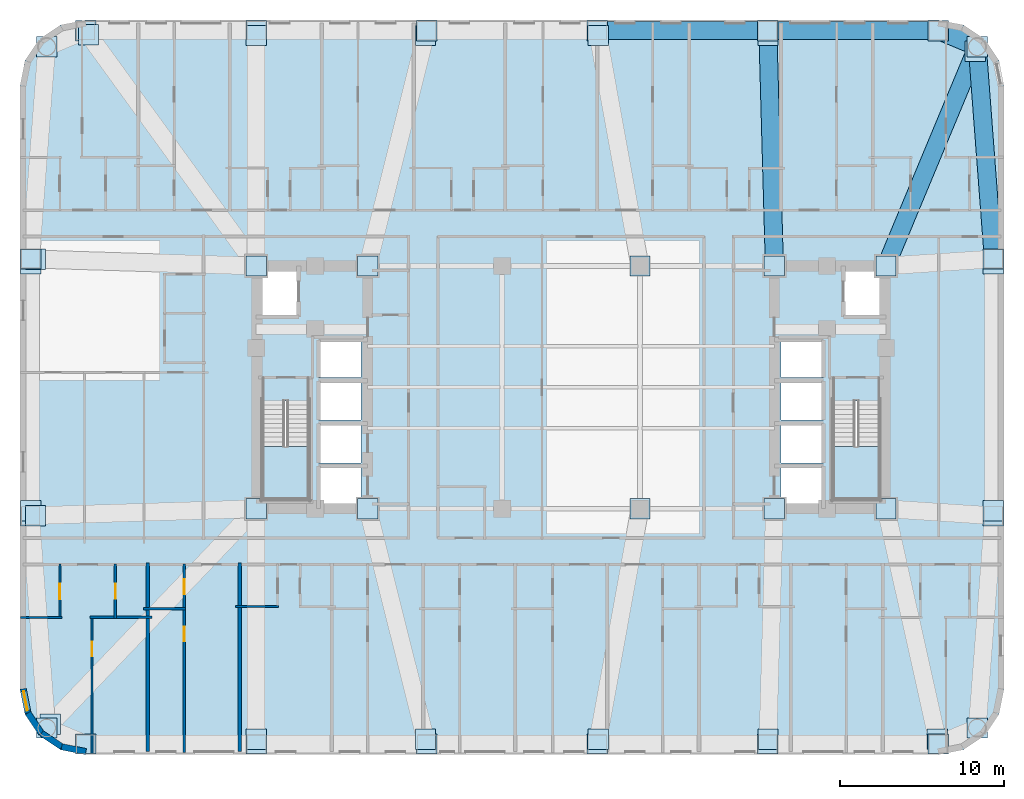
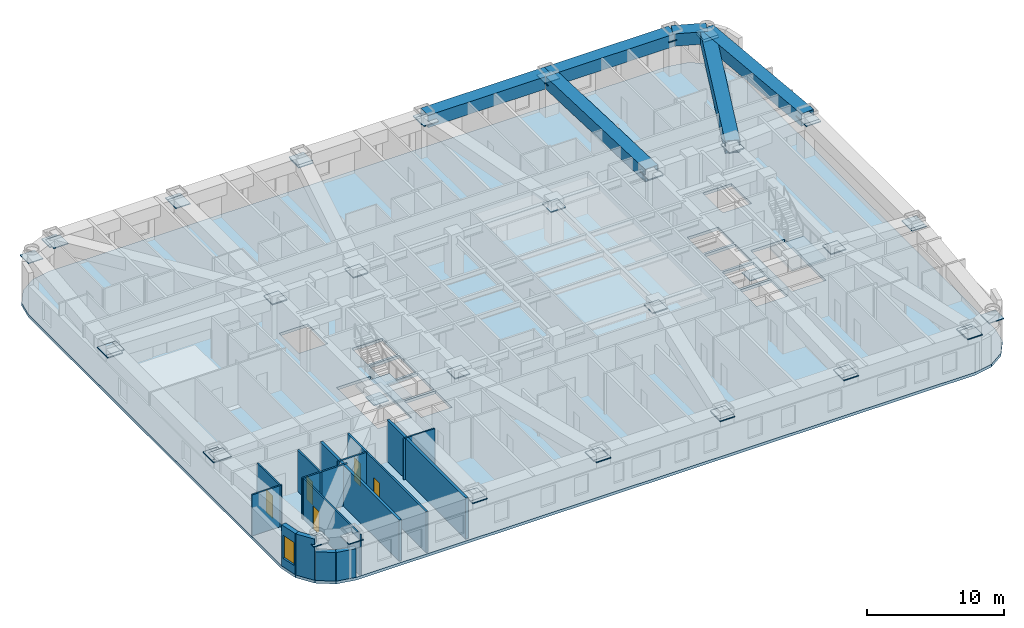
# One storey, part 2 of 12: 48 plates, 15 walls, 6 beams, 5 doors, 3 slabs, 1 window, 6 openings, 2 elements without a shape of their own.
"""IFC4 building model written with IfcOpenShell, lengths in metres."""

import ifcopenshell
import ifcopenshell.guid

model = None  # the IFC model being written
_history = None  # IfcOwnerHistory: only IFC2X3 demands one
_inside = {}  # id of a spatial element -> (the spatial element, [elements in it])
_under = {}  # id of a project, library or spatial element -> (it, [spatial elements below it])
_declared = {}  # id of a project -> (the project, [libraries it declares])
_typed = {}  # id of a type object -> (the type object, [elements of that type])
_made_of = {}  # id of a material, layer set ... -> (it, [elements and type objects made of it])


def new_model(schema):
    """Start an empty IFC model of exactly this schema.

    Asked for "IFC4X3", IfcOpenShell would pick the latest addendum, in which some entities
    have other attributes; the version numbers below select the first issue.
    IFC2X3 requires an IfcOwnerHistory on every rooted entity: one is made here for all.
    """
    global model, _history
    if schema == "IFC4X3":
        model = ifcopenshell.file(schema_version=(4, 3, 0, 0))
    else:
        model = ifcopenshell.file(schema=schema)
    _inside.clear()
    _under.clear()
    _declared.clear()
    _typed.clear()
    _made_of.clear()
    _history = None
    if model.schema == "IFC2X3":
        org = make("IfcOrganization", Name="unknown")
        user = make(
            "IfcPersonAndOrganization",
            ThePerson=make("IfcPerson", FamilyName="unknown"),
            TheOrganization=org,
        )
        app = make(
            "IfcApplication",
            ApplicationDeveloper=org,
            Version="unknown",
            ApplicationFullName="unknown",
            ApplicationIdentifier="unknown",
        )
        _history = make(
            "IfcOwnerHistory",
            OwningUser=user,
            OwningApplication=app,
            ChangeAction="ADDED",
            CreationDate=0,
        )
    return model


def make(cls, **values):
    """One entity of the class cls with the attributes given. An attribute that is None is left unset."""
    return model.create_entity(
        cls, **{name: value for name, value in values.items() if value is not None}
    )


def rooted(cls, **values):
    """An entity with a GlobalId (a new one), such as an element, a storey or a relation."""
    return make(cls, GlobalId=ifcopenshell.guid.new(), OwnerHistory=_history, **values)


def si_unit(unit_type, name, prefix=None):
    """IfcSIUnit, for example si_unit("LENGTHUNIT", "METRE", prefix="MILLI")."""
    return make("IfcSIUnit", UnitType=unit_type, Prefix=prefix, Name=name)


def assignment(units):
    """IfcUnitAssignment: the units of a project."""
    return None if units is None else make("IfcUnitAssignment", Units=units)


def point(xyz):
    """IfcCartesianPoint."""
    return None if xyz is None else make("IfcCartesianPoint", Coordinates=xyz)


def direction(xyz):
    """IfcDirection."""
    return None if xyz is None else make("IfcDirection", DirectionRatios=xyz)


def frame(location, z_axis=None, x_axis=None):
    """IfcAxis2Placement3D, a coordinate frame: its origin and axes. An axis left out is left unset."""
    return make(
        "IfcAxis2Placement3D",
        Location=point(location),
        Axis=direction(z_axis),
        RefDirection=direction(x_axis),
    )


def frame_2d(location, x_axis=None):
    """IfcAxis2Placement2D, a coordinate frame in the plane: its origin and x axis."""
    return make(
        "IfcAxis2Placement2D", Location=point(location), RefDirection=direction(x_axis)
    )


def origin():
    """The frame at (0, 0, 0) with its axes left unset."""
    return frame((0.0, 0.0, 0.0))


def origin_2d():
    """The frame at (0, 0) in the plane with its x axis left unset."""
    return frame_2d((0.0, 0.0))


def place(relative_to, where):
    """IfcLocalPlacement: puts the frame where relative to a parent placement (None: the world)."""
    return make(
        "IfcLocalPlacement", PlacementRelTo=relative_to, RelativePlacement=where
    )


def context(
    kind, dimensions, precision=None, world=None, true_north=None, identifier=None
):
    """IfcGeometricRepresentationContext, for example the 3D "Model" context."""
    return make(
        "IfcGeometricRepresentationContext",
        ContextIdentifier=identifier,
        ContextType=kind,
        CoordinateSpaceDimension=dimensions,
        Precision=precision,
        WorldCoordinateSystem=world,
        TrueNorth=true_north,
    )


def subcontext(parent, identifier, kind, view, scale=None):
    """IfcGeometricRepresentationSubContext, for example "Body" below "Model"."""
    return make(
        "IfcGeometricRepresentationSubContext",
        ContextIdentifier=identifier,
        ContextType=kind,
        ParentContext=parent,
        TargetScale=scale,
        TargetView=view,
    )


def project(units=None, contexts=None):
    """IfcProject with its units and contexts."""
    return rooted(
        "IfcProject",
        Name="project",
        RepresentationContexts=contexts,
        UnitsInContext=assignment(units),
    )


def spatial(cls, under=None, at=None, **own):
    """A site, building, storey or space (cls), placed at a placement, below another one or the project."""
    s = rooted(cls, ObjectPlacement=at, **own)
    if under is not None:
        _under.setdefault(under.id(), (under, []))[1].append(s)
    return s


def polyline(points):
    """IfcPolyline through the points."""
    return make("IfcPolyline", Points=[point(p) for p in points])


def profile(cls, at=None, kind="AREA", **sizes):
    """A parametric profile (cls). Its sizes go by their IFC names, for example OverallWidth=200.0."""
    return make(cls, ProfileType=kind, Position=at, **sizes)


def rectangle(**sizes):
    """IfcRectangleProfileDef."""
    return profile("IfcRectangleProfileDef", **sizes)


def hollow_rectangle(**sizes):
    """IfcRectangleHollowProfileDef."""
    return profile("IfcRectangleHollowProfileDef", **sizes)


def outline(outer, holes=None, kind="AREA"):
    """IfcArbitraryClosedProfileDef: a profile drawn as a closed curve; with holes, ...WithVoids."""
    if holes is None:
        return make("IfcArbitraryClosedProfileDef", ProfileType=kind, OuterCurve=outer)
    return make(
        "IfcArbitraryProfileDefWithVoids",
        ProfileType=kind,
        OuterCurve=outer,
        InnerCurves=holes,
    )


def extrude(swept, where, along, depth):
    """IfcExtrudedAreaSolid: the profile swept, set in the frame where, extruded along a direction by depth."""
    return make(
        "IfcExtrudedAreaSolid",
        SweptArea=swept,
        Position=where,
        ExtrudedDirection=direction(along),
        Depth=depth,
    )


def shape(context_of_items, identifier, shape_type, items):
    """IfcShapeRepresentation: the items that make up one representation, for example the "Body"."""
    return make(
        "IfcShapeRepresentation",
        ContextOfItems=context_of_items,
        RepresentationIdentifier=identifier,
        RepresentationType=shape_type,
        Items=items,
    )


def material(Name=None, Category=None):
    """IfcMaterial."""
    return make("IfcMaterial", Name=Name, Category=Category)


def layer(
    of_material, thickness, ventilated=None, Name=None, Category=None, Priority=None
):
    """IfcMaterialLayer: one layer of a wall or slab, of a material (None: an air gap)."""
    return make(
        "IfcMaterialLayer",
        Material=of_material,
        LayerThickness=thickness,
        IsVentilated=ventilated,
        Name=Name,
        Category=Category,
        Priority=Priority,
    )


def layer_set(layers, Name=None):
    """IfcMaterialLayerSet."""
    return make("IfcMaterialLayerSet", MaterialLayers=layers, LayerSetName=Name)


def material_profile(
    of_material, cross_section, Name=None, Category=None, Priority=None
):
    """IfcMaterialProfile: a cross section and its material."""
    return make(
        "IfcMaterialProfile",
        Name=Name,
        Material=of_material,
        Profile=cross_section,
        Priority=Priority,
        Category=Category,
    )


def profile_set(profiles, Name=None, composite=None):
    """IfcMaterialProfileSet."""
    return make(
        "IfcMaterialProfileSet",
        Name=Name,
        MaterialProfiles=profiles,
        CompositeProfile=composite,
    )


def made_of(thing, what):
    """Note that an element or type object is made of a material, layer set ...; save() writes the relation."""
    if what is not None:
        _made_of.setdefault(what.id(), (what, []))[1].append(thing)
    return thing


def type_object(cls, material=None, **own):
    """A type object (cls), such as IfcWallType, which elements share."""
    return made_of(rooted(cls, **own), material)


def element(
    cls,
    number,
    at=None,
    inside=None,
    cuts=None,
    type_object=None,
    material=None,
    context=None,
    identifier="Body",
    shape_type=None,
    held_by="IfcProductDefinitionShape",
    body=None,
    shapes=None,
    **own,
):
    """One element of the class cls, such as IfcWall. Its Tag is "e" and its number.

    at: its placement. inside: the storey or other place that contains it. cuts: it is an
    opening in that element (IfcRelVoidsElement). A single representation is given by context,
    identifier, shape_type and body (its items); several are given by shapes. held_by: the class
    of the entity that holds the representations. save() writes the other relations.
    """
    e = rooted(cls, Tag="e%d" % number, ObjectPlacement=at, **own)
    if body is not None:
        shapes = [shape(context, identifier, shape_type, body)]
    if shapes is not None:
        e.Representation = make(held_by, Representations=shapes)
    if inside is not None:
        _inside.setdefault(inside.id(), (inside, []))[1].append(e)
    if cuts is not None:
        rooted(
            "IfcRelVoidsElement", RelatingBuildingElement=cuts, RelatedOpeningElement=e
        )
    if type_object is not None:
        _typed.setdefault(type_object.id(), (type_object, []))[1].append(e)
    return made_of(e, material)


def fill(opening, filler):
    """IfcRelFillsElement: the door or window that sits in an opening."""
    return rooted(
        "IfcRelFillsElement",
        RelatingOpeningElement=opening,
        RelatedBuildingElement=filler,
    )


def aggregate(whole, parts):
    """IfcRelAggregates: a whole, such as a stair, and the parts it consists of."""
    return rooted("IfcRelAggregates", RelatingObject=whole, RelatedObjects=parts)


def save(model, path):
    """Write the relations noted so far, then the file.

    IfcRelAggregates (storeys below a building ...), IfcRelContainedInSpatialStructure (elements
    in a storey), IfcRelDefinesByType, IfcRelAssociatesMaterial and IfcRelDeclares: one each for
    every whole, place, type object, material and project.
    """
    for whole, parts in _under.values():
        aggregate(whole, parts)
    for where, things in _inside.values():
        rooted(
            "IfcRelContainedInSpatialStructure",
            RelatedElements=things,
            RelatingStructure=where,
        )
    for kind, things in _typed.values():
        rooted("IfcRelDefinesByType", RelatedObjects=things, RelatingType=kind)
    for what, things in _made_of.values():
        rooted("IfcRelAssociatesMaterial", RelatedObjects=things, RelatingMaterial=what)
    for by, libraries in _declared.values():
        rooted("IfcRelDeclares", RelatingContext=by, RelatedDefinitions=libraries)
    model.write(path)


model = new_model("IFC4")

# Units and contexts
model_context = context("Model", 3, precision=1e-05, world=origin(), true_north=direction((0.0, 1.0)))
body_context = subcontext(model_context, "Body", "Model", "MODEL_VIEW")
ifc_project = project(units=[si_unit("LENGTHUNIT", "METRE"), si_unit("AREAUNIT", "SQUARE_METRE"), si_unit("VOLUMEUNIT", "CUBIC_METRE"), si_unit("PLANEANGLEUNIT", "RADIAN"), si_unit("MASSUNIT", "GRAM", prefix="KILO")], contexts=[model_context])

# Site, building, storey
site_placement = place(None, origin())
site = spatial("IfcSite", under=ifc_project, at=site_placement, CompositionType="ELEMENT")
building_placement = place(site_placement, origin())
building = spatial("IfcBuilding", under=site, at=building_placement, Name="Voryun Gate Residences", CompositionType="ELEMENT")
storey_placement = place(building_placement, frame((0.0, 0.0, 29.89990234375)))
storey = spatial("IfcBuildingStorey", under=building, at=storey_placement, Name="L06", CompositionType="ELEMENT", Elevation=29.89990234375)

# Beams
ifc_material_1 = material(Name="Steel SM420", Category="steel")
ifc_material_profile = material_profile(ifc_material_1, hollow_rectangle(XDim=1.10009765625, YDim=1.10009765625, WallThickness=0.035888671875, at=origin_2d()), Name="BOX-1100x1100x36")
ifc_profile_set = profile_set([ifc_material_profile], Name="Steel SM420")
beam_type = type_object("IfcBeamType", Name="BM_ARCH_RIB", PredefinedType="USERDEFINED", material=ifc_profile_set)
beam_1_placement = place(storey_placement, frame((25.75, 7.830078125, 3.10009765625), z_axis=(-0.075617360159, 0.997136908776, 0.0), x_axis=(-0.997136908776, -0.075617360159, 0.0)))
element("IfcBeam", 1, at=beam_1_placement, inside=storey, type_object=beam_type, Name="BM-L06-SPAND-09", ObjectType="GIRDER", PredefinedType="USERDEFINED", context=body_context, shape_type="SweptSolid", body=[
    extrude(hollow_rectangle(XDim=1.10009765625, YDim=1.10009765625, WallThickness=0.035888671875, at=origin_2d()), origin(), (0.0, 0.0, 1.0), 12.975830078125),
])
beam_2_placement = place(storey_placement, frame((24.768798828125, 20.768798828125, 3.10009765625), z_axis=(-0.923883376753, 0.382674151414, 0.0), x_axis=(-0.382674151414, -0.923883376753, 0.0)))
element("IfcBeam", 2, at=beam_2_placement, inside=storey, type_object=beam_type, Name="BM-L06-SPAND-10", ObjectType="GIRDER", PredefinedType="USERDEFINED", context=body_context, shape_type="SweptSolid", body=[
    extrude(hollow_rectangle(XDim=1.10009765625, YDim=1.10009765625, WallThickness=0.035888671875, at=origin_2d()), origin(), (0.0, 0.0, 1.0), 2.56396484375),
])
for number, where, z_axis, x_axis, name in (
    (3, (22.39990234375, 21.75, 3.10009765625), (-1.0, 0.0, 0.0), (0.0, -1.0, 0.0), "BM-L06-SPAND-11"),
    (4, (12.0, 21.75, 3.10009765625), (-1.0, 0.0, 0.0), (0.0, -1.0, 0.0), "BM-L06-SPAND-12"),
):
    element("IfcBeam", number, at=place(storey_placement, frame(where, z_axis=z_axis, x_axis=x_axis)), inside=storey, type_object=beam_type, Name=name, ObjectType="GIRDER", PredefinedType="USERDEFINED", context=body_context, shape_type="SweptSolid", body=[
        extrude(hollow_rectangle(XDim=1.10009765625, YDim=1.10009765625, WallThickness=0.035888671875, at=origin_2d()), origin(), (0.0, 0.0, 1.0), 10.39990234375),
    ])
beam_3_placement = place(storey_placement, frame((19.199951171875, 7.39990234375, 3.10009765625), z_axis=(0.38451637457, 0.923118171031, 0.0), x_axis=(-0.923118171031, 0.38451637457, 0.0)))
element("IfcBeam", 5, at=beam_3_placement, inside=storey, type_object=beam_type, Name="BM-L06-RAD-CNE", ObjectType="GIRDER", PredefinedType="USERDEFINED", context=body_context, shape_type="SweptSolid", body=[
    extrude(hollow_rectangle(XDim=1.10009765625, YDim=1.10009765625, WallThickness=0.035888671875, at=origin_2d()), origin(), (0.0, 0.0, 1.0), 14.182373046875),
])
beam_4_placement = place(storey_placement, frame((12.39990234375, 7.39990234375, 3.10009765625), z_axis=(-0.027860596984, 0.999611818225, 0.0), x_axis=(-0.999611818225, -0.027860596984, 0.0)))
element("IfcBeam", 6, at=beam_4_placement, inside=storey, type_object=beam_type, Name="BM-L06-RAD-N2", ObjectType="GIRDER", PredefinedType="USERDEFINED", context=body_context, shape_type="SweptSolid", body=[
    extrude(hollow_rectangle(XDim=1.10009765625, YDim=1.10009765625, WallThickness=0.035888671875, at=origin_2d()), origin(), (0.0, 0.0, 1.0), 14.0556640625),
])

# Plates
ifc_material_2 = material(Name="Steel SM355", Category="steel")
ifc_layer_1 = layer(ifc_material_2, 0.02490234375, Name="PLT_END_CAP_25")
ifc_layer_set_1 = layer_set([ifc_layer_1], Name="Steel SM355")
plate_type = type_object("IfcPlateType", Name="PLT_END_CAP_25", PredefinedType="USERDEFINED", material=ifc_layer_set_1)
for number, where, z_axis, x_axis, name in (
    (7, (-29.60009765625, -21.75, 3.06005859375), (0.0, 0.0, 1.0), (1.0, 0.0, 0.0), "L06 Hollow Member End-Cap Plate EC-157"),
    (8, (-19.199951171875, -21.75, 3.06005859375), (0.0, 0.0, 1.0), (1.0, 0.0, 0.0), "L06 Hollow Member End-Cap Plate EC-158"),
    (9, (-8.800048828125, -21.75, 3.06005859375), (0.0, 0.0, 1.0), (1.0, 0.0, 0.0), "L06 Hollow Member End-Cap Plate EC-159"),
    (10, (1.60009765625, -21.75, 3.06005859375), (0.0, 0.0, 1.0), (1.0, 0.0, 0.0), "L06 Hollow Member End-Cap Plate EC-160"),
    (11, (12.0, -21.75, 3.06005859375), (0.0, 0.0, 1.0), (1.0, 0.0, 0.0), "L06 Hollow Member End-Cap Plate EC-161"),
    (12, (22.39990234375, -21.75, 3.06005859375), (0.0, 0.0, 1.0), (1.0, 0.0, 0.0), "L06 Hollow Member End-Cap Plate EC-162"),
    (13, (24.768798828125, -20.768798828125, 3.06005859375), (0.0, 0.0, 1.0), (1.0, 0.0, 0.0), "L06 Hollow Member End-Cap Plate EC-163"),
    (14, (25.75, -7.830078125, 3.06005859375), (0.0, 0.0, 1.0), (1.0, 0.0, 0.0), "L06 Hollow Member End-Cap Plate EC-164"),
    (15, (25.75, -7.530029296875, 3.06005859375), (0.0, 0.0, 1.0), (1.0, 0.0, 0.0), "L06 Hollow Member End-Cap Plate EC-165"),
    (16, (25.75, 7.530029296875, 3.06005859375), (0.0, 0.0, 1.0), (1.0, 0.0, 0.0), "L06 Hollow Member End-Cap Plate EC-166"),
    (17, (25.75, 7.830078125, 3.06005859375), (0.0, 0.0, 1.0), (1.0, 0.0, 0.0), "L06 Hollow Member End-Cap Plate EC-167"),
    (18, (24.768798828125, 20.768798828125, 3.06005859375), (0.0, 0.0, 1.0), (1.0, 0.0, 0.0), "L06 Hollow Member End-Cap Plate EC-168"),
    (19, (22.39990234375, 21.75, 3.06005859375), (0.0, 0.0, 1.0), (1.0, 0.0, 0.0), "L06 Hollow Member End-Cap Plate EC-169"),
    (20, (12.0, 21.75, 3.06005859375), (0.0, 0.0, 1.0), (1.0, 0.0, 0.0), "L06 Hollow Member End-Cap Plate EC-170"),
    (21, (1.60009765625, 21.75, 3.06005859375), (0.0, 0.0, 1.0), (1.0, 0.0, 0.0), "L06 Hollow Member End-Cap Plate EC-171"),
    (22, (-8.800048828125, 21.75, 3.06005859375), (0.0, 0.0, 1.0), (1.0, 0.0, 0.0), "L06 Hollow Member End-Cap Plate EC-172"),
    (23, (-19.199951171875, 21.75, 3.06005859375), (0.0, 0.0, 1.0), (1.0, 0.0, 0.0), "L06 Hollow Member End-Cap Plate EC-173"),
    (24, (-29.60009765625, 21.75, 3.06005859375), (0.0, 0.0, 1.0), (1.0, 0.0, 0.0), "L06 Hollow Member End-Cap Plate EC-174"),
    (25, (-31.96875, 20.768798828125, 3.06005859375), (0.0, 0.0, 1.0), (1.0, 0.0, 0.0), "L06 Hollow Member End-Cap Plate EC-175"),
    (26, (-32.949951171875, 7.830078125, 3.06005859375), (0.0, 0.0, 1.0), (1.0, 0.0, 0.0), "L06 Hollow Member End-Cap Plate EC-176"),
    (27, (-32.949951171875, 7.530029296875, 3.06005859375), (0.0, 0.0, 1.0), (1.0, 0.0, 0.0), "L06 Hollow Member End-Cap Plate EC-177"),
    (28, (-32.949951171875, -7.530029296875, 3.06005859375), (0.0, 0.0, 1.0), (1.0, 0.0, 0.0), "L06 Hollow Member End-Cap Plate EC-178"),
    (29, (-32.949951171875, -7.830078125, 3.06005859375), (0.0, 0.0, 1.0), (1.0, 0.0, 0.0), "L06 Hollow Member End-Cap Plate EC-179"),
    (30, (-31.96875, -20.768798828125, 3.06005859375), (0.0, 0.0, 1.0), (1.0, 0.0, 0.0), "L06 Hollow Member End-Cap Plate EC-180"),
    (31, (-19.199951171875, -7.39990234375, 3.06005859375), (0.0, 0.0, 1.0), (1.0, 0.0, 0.0), "L06 Hollow Member End-Cap Plate EC-181"),
    (32, (-19.199951171875, -21.449951171875, 3.06005859375), (0.0, 0.0, 1.0), (1.0, 0.0, 0.0), "L06 Hollow Member End-Cap Plate EC-182"),
    (33, (-12.39990234375, -7.39990234375, 3.06005859375), (0.0, 0.0, 1.0), (1.0, 0.0, 0.0), "L06 Hollow Member End-Cap Plate EC-183"),
    (34, (-8.873046875, -21.458984375, 3.06005859375), (0.0, 0.0, 1.0), (1.0, 0.0, 0.0), "L06 Hollow Member End-Cap Plate EC-184"),
    (35, (4.199951171875, -7.39990234375, 3.06005859375), (0.0, 0.0, 1.0), (1.0, 0.0, 0.0), "L06 Hollow Member End-Cap Plate EC-185"),
    (36, (1.653564453125, -21.454833984375, 3.06005859375), (0.0, 0.0, 1.0), (1.0, 0.0, 0.0), "L06 Hollow Member End-Cap Plate EC-186"),
    (37, (12.39990234375, -7.39990234375, 3.06005859375), (0.0, 0.0, 1.0), (1.0, 0.0, 0.0), "L06 Hollow Member End-Cap Plate EC-187"),
    (38, (12.00830078125, -21.4501953125, 3.06005859375), (0.0, 0.0, 1.0), (1.0, 0.0, 0.0), "L06 Hollow Member End-Cap Plate EC-188"),
    (39, (19.199951171875, -7.39990234375, 3.06005859375), (0.0, 0.0, 1.0), (1.0, 0.0, 0.0), "L06 Hollow Member End-Cap Plate EC-189"),
    (40, (22.334716796875, -21.457275390625, 3.06005859375), (0.0, 0.0, 1.0), (1.0, 0.0, 0.0), "L06 Hollow Member End-Cap Plate EC-190"),
    (41, (19.199951171875, 7.39990234375, 3.06005859375), (0.0, 0.0, 1.0), (1.0, 0.0, 0.0), "L06 Hollow Member End-Cap Plate EC-191"),
    (42, (24.6533203125, 20.491943359375, 3.06005859375), (0.0, 0.0, 1.0), (1.0, 0.0, 0.0), "L06 Hollow Member End-Cap Plate EC-192"),
    (43, (12.39990234375, 7.39990234375, 3.06005859375), (0.0, 0.0, 1.0), (1.0, 0.0, 0.0), "L06 Hollow Member End-Cap Plate EC-193"),
    (44, (12.00830078125, 21.4501953125, 3.06005859375), (0.0, 0.0, 1.0), (1.0, 0.0, 0.0), "L06 Hollow Member End-Cap Plate EC-194"),
    (45, (4.199951171875, 7.39990234375, 3.06005859375), (0.0, 0.0, 1.0), (1.0, 0.0, 0.0), "L06 Hollow Member End-Cap Plate EC-195"),
    (46, (1.653564453125, 21.454833984375, 3.06005859375), (0.0, 0.0, 1.0), (1.0, 0.0, 0.0), "L06 Hollow Member End-Cap Plate EC-196"),
    (47, (-12.39990234375, 7.39990234375, 3.06005859375), (0.0, 0.0, 1.0), (1.0, 0.0, 0.0), "L06 Hollow Member End-Cap Plate EC-197"),
    (48, (-8.873046875, 21.458984375, 3.06005859375), (0.0, 0.0, 1.0), (1.0, 0.0, 0.0), "L06 Hollow Member End-Cap Plate EC-198"),
    (49, (-19.199951171875, 7.39990234375, 3.06005859375), (0.0, 0.0, 1.0), (1.0, 0.0, 0.0), "L06 Hollow Member End-Cap Plate EC-199"),
    (50, (-19.199951171875, 21.449951171875, 3.06005859375), (0.0, 0.0, 1.0), (1.0, 0.0, 0.0), "L06 Hollow Member End-Cap Plate EC-200"),
    (51, (-29.424072265625, 21.507080078125, 3.06005859375), (0.0, 0.0, 1.0), (1.0, 0.0, 0.0), "L06 Hollow Member End-Cap Plate EC-201"),
    (52, (-32.650146484375, 7.820556640625, 3.06005859375), (0.0, 0.0, 1.0), (1.0, 0.0, 0.0), "L06 Hollow Member End-Cap Plate EC-202"),
    (53, (-32.650146484375, -7.820556640625, 3.06005859375), (0.0, 0.0, 1.0), (1.0, 0.0, 0.0), "L06 Hollow Member End-Cap Plate EC-203"),
    (54, (-31.76171875, -20.552001953125, 3.06005859375), (0.0, 0.0, 1.0), (1.0, 0.0, 0.0), "L06 Hollow Member End-Cap Plate EC-204"),
):
    element("IfcPlate", number, at=place(storey_placement, frame(where, z_axis=z_axis, x_axis=x_axis)), inside=storey, type_object=plate_type, Name=name, ObjectType="BASE_PLATE", PredefinedType="USERDEFINED", context=body_context, shape_type="SweptSolid", body=[
        extrude(rectangle(XDim=1.239990234375, YDim=1.239990234375, at=origin_2d()), origin(), (0.0, 0.0, 1.0), 0.080078125),
    ])

# Slab
ifc_material_3 = material(Name="Concrete C40/50", Category="concrete")
ifc_layer_2 = layer(ifc_material_3, 0.25, Name="SLB_RES_250")
ifc_layer_set_2 = layer_set([ifc_layer_2], Name="Concrete C40/50")
slab_type_1 = type_object("IfcSlabType", Name="SLB_RES_250", PredefinedType="FLOOR", material=ifc_layer_set_2)
slab_1_placement = place(storey_placement, frame((0.0, 0.0, -0.25)))
element("IfcSlab", 55, at=slab_1_placement, inside=storey, type_object=slab_type_1, Name="L06 Structural Floor Slab", PredefinedType="FLOOR", context=body_context, shape_type="SweptSolid", body=[
    extrude(outline(polyline([(-29.60009765625, -22.39990234375), (-31.130615234375, -22.095458984375), (-32.428466796875, -21.228515625), (-33.29541015625, -19.9306640625), (-33.60009765625, -18.39990234375), (-33.60009765625, 18.39990234375), (-33.29541015625, 19.9306640625), (-32.428466796875, 21.228515625), (-31.130615234375, 22.095458984375), (-29.60009765625, 22.39990234375), (22.39990234375, 22.39990234375), (23.9306640625, 22.095458984375), (25.228515625, 21.228515625), (26.095458984375, 19.9306640625), (26.39990234375, 18.39990234375), (26.39990234375, -18.39990234375), (26.095458984375, -19.9306640625), (25.228515625, -21.228515625), (23.9306640625, -22.095458984375), (22.39990234375, -22.39990234375), (-29.60009765625, -22.39990234375)]), holes=[polyline([(-12.800048828125, -4.800048828125), (-15.39990234375, -4.800048828125), (-15.39990234375, -7.199951171875), (-12.800048828125, -7.199951171875), (-12.800048828125, -4.800048828125)]), polyline([(-18.824951171875, -6.85009765625), (-15.97509765625, -6.85009765625), (-15.97509765625, -0.840087890625), (-18.824951171875, -0.840087890625), (-18.824951171875, -6.85009765625)]), polyline([(-12.800048828125, -4.60009765625), (-12.800048828125, -2.199951171875), (-15.39990234375, -2.199951171875), (-15.39990234375, -4.60009765625), (-12.800048828125, -4.60009765625)]), polyline([(-12.800048828125, 0.39990234375), (-15.39990234375, 0.39990234375), (-15.39990234375, -2.0), (-12.800048828125, -2.0), (-12.800048828125, 0.39990234375)]), polyline([(-12.800048828125, 0.60009765625), (-12.800048828125, 2.89990234375), (-15.39990234375, 2.89990234375), (-15.39990234375, 0.60009765625), (-12.800048828125, 0.60009765625)]), polyline([(-16.60009765625, 4.300048828125), (-16.60009765625, 7.199951171875), (-19.0, 7.199951171875), (-19.0, 4.300048828125), (-16.60009765625, 4.300048828125)]), polyline([(15.39990234375, -4.800048828125), (12.800048828125, -4.800048828125), (12.800048828125, -7.199951171875), (15.39990234375, -7.199951171875), (15.39990234375, -4.800048828125)]), polyline([(15.97509765625, -6.85009765625), (18.824951171875, -6.85009765625), (18.824951171875, -0.840087890625), (15.97509765625, -0.840087890625), (15.97509765625, -6.85009765625)]), polyline([(15.39990234375, -4.60009765625), (15.39990234375, -2.199951171875), (12.800048828125, -2.199951171875), (12.800048828125, -4.60009765625), (15.39990234375, -4.60009765625)]), polyline([(15.39990234375, 0.39990234375), (12.800048828125, 0.39990234375), (12.800048828125, -2.0), (15.39990234375, -2.0), (15.39990234375, 0.39990234375)]), polyline([(15.39990234375, 0.60009765625), (15.39990234375, 2.89990234375), (12.800048828125, 2.89990234375), (12.800048828125, 0.60009765625), (15.39990234375, 0.60009765625)]), polyline([(19.0, 4.300048828125), (19.0, 7.199951171875), (16.60009765625, 7.199951171875), (16.60009765625, 4.300048828125), (19.0, 4.300048828125)])]), origin(), (0.0, 0.0, 1.0), 0.25),
])

# Stair, slab
ifc_material_4 = material(Name="Concrete C40/50", Category="concrete")
stair_type = type_object("IfcStairType", Name="STR_CORE_DOGLEG_1350", PredefinedType="HALF_TURN_STAIR", material=ifc_material_4)
stair_1_placement = place(storey_placement, origin())
stair_1 = element("IfcStair", 56, at=stair_1_placement, inside=storey, type_object=stair_type, Name="L06 Special Escape Stair ST-W1", PredefinedType="HALF_TURN_STAIR")
ifc_material_5 = material(Name="Concrete C40/50", Category="concrete")
ifc_layer_3 = layer(ifc_material_5, 0.199951171875, Name="SLB_STAIR_LANDING_200")
ifc_layer_set_3 = layer_set([ifc_layer_3], Name="Concrete C40/50")
slab_type_2 = type_object("IfcSlabType", Name="SLB_STAIR_LANDING_200", PredefinedType="LANDING", material=ifc_layer_set_3)
slab_2_placement = place(storey_placement, frame((0.0, 0.0, 1.75)))
slab_2 = element("IfcSlab", 57, at=slab_2_placement, type_object=slab_type_2, Name="ST-W1 landing 1", PredefinedType="LANDING", context=body_context, shape_type="SweptSolid", body=[
    extrude(outline(polyline([(-18.824951171875, -3.60009765625), (-18.824951171875, -6.85009765625), (-15.97509765625, -6.85009765625), (-15.97509765625, -3.60009765625), (-18.824951171875, -3.60009765625)])), origin(), (0.0, 0.0, 1.0), 0.2001953125),
])
aggregate(stair_1, [slab_2])

stair_2_placement = place(storey_placement, origin())
stair_2 = element("IfcStair", 58, at=stair_2_placement, inside=storey, type_object=stair_type, Name="L06 Special Escape Stair ST-E1", PredefinedType="HALF_TURN_STAIR")
slab_3_placement = place(storey_placement, frame((0.0, 0.0, 1.75)))
slab_3 = element("IfcSlab", 59, at=slab_3_placement, type_object=slab_type_2, Name="ST-E1 landing 1", PredefinedType="LANDING", context=body_context, shape_type="SweptSolid", body=[
    extrude(outline(polyline([(15.97509765625, -3.60009765625), (15.97509765625, -6.85009765625), (18.824951171875, -6.85009765625), (18.824951171875, -3.60009765625), (15.97509765625, -3.60009765625)])), origin(), (0.0, 0.0, 1.0), 0.2001953125),
])
aggregate(stair_2, [slab_3])

# Walls
ifc_material_6 = material(Name="Granite masonry", Category="masonry")
ifc_layer_4 = layer(ifc_material_6, 0.3798828125, Name="W_EXT_GRANITE_380")
ifc_layer_set_4 = layer_set([ifc_layer_4], Name="Granite masonry")
wall_type_1 = type_object("IfcWallType", Name="W_EXT_GRANITE_380", PredefinedType="ELEMENTEDWALL", material=ifc_layer_set_4)
wall_1_placement = place(storey_placement, frame((-29.581298828125, -22.2099609375, 0.0), z_axis=(0.0, 0.0, 1.0), x_axis=(-0.980786132421, 0.195086038585, 0.0)))
element("IfcWall", 60, at=wall_1_placement, inside=storey, type_object=wall_type_1, Name="Exterior wall WEXT-L06-02", PredefinedType="ELEMENTEDWALL", context=body_context, shape_type="SweptSolid", body=[
    extrude(rectangle(XDim=1.504150390625, YDim=0.3798828125, at=frame_2d((0.751953125, 0.0))), origin(), (0.0, 0.0, 1.0), 2.5400390625),
])
wall_2_placement = place(storey_placement, frame((-31.056640625, -21.91650390625, 0.0), z_axis=(0.0, 0.0, 1.0), x_axis=(-0.831442848281, 0.555610286119, 0.0)))
element("IfcWall", 61, at=wall_2_placement, inside=storey, type_object=wall_type_1, Name="Exterior wall WEXT-L06-03", PredefinedType="ELEMENTEDWALL", context=body_context, shape_type="SweptSolid", body=[
    extrude(rectangle(XDim=1.485107421875, YDim=0.3798828125, at=frame_2d((0.74267578125, 0.0))), origin(), (0.0, 0.0, 1.0), 2.5400390625),
])
wall_3_placement = place(storey_placement, frame((-32.29150390625, -21.09130859375, 0.0), z_axis=(0.0, 0.0, 1.0), x_axis=(-0.555572577804, 0.831468045563, 0.0)))
element("IfcWall", 62, at=wall_3_placement, inside=storey, type_object=wall_type_1, Name="Exterior wall WEXT-L06-04", PredefinedType="ELEMENTEDWALL", context=body_context, shape_type="SweptSolid", body=[
    extrude(rectangle(XDim=1.48486328125, YDim=0.3798828125, at=frame_2d((0.742431640625, 0.0))), origin(), (0.0, 0.0, 1.0), 3.650146484375),
])

# Wall, opening, window
wall_4_placement = place(storey_placement, frame((-33.116455078125, -19.856689453125, 0.0), z_axis=(0.0, 0.0, 1.0), x_axis=(-0.195086038585, 0.980786132421, 0.0)))
wall_4 = element("IfcWall", 63, at=wall_4_placement, inside=storey, type_object=wall_type_1, Name="Exterior wall WEXT-L06-05", PredefinedType="ELEMENTEDWALL", context=body_context, shape_type="SweptSolid", body=[
    extrude(rectangle(XDim=1.504150390625, YDim=0.3798828125, at=frame_2d((0.751953125, 0.0))), origin(), (0.0, 0.0, 1.0), 3.650146484375),
])
opening_1_placement = place(wall_4_placement, frame((0.152099609375, 0.0, 0.75)))
opening_1 = element("IfcOpeningElement", 64, at=opening_1_placement, cuts=wall_4, Name="Opening WN6", PredefinedType="OPENING", context=body_context, shape_type="SweptSolid", body=[
    extrude(rectangle(XDim=1.199951171875, YDim=2.050048828125, at=frame_2d((0.60009765625, 1.02490234375))), frame((0.0, 0.199951171875, 0.0), z_axis=(0.0, -1.0, 0.0), x_axis=(1.0, 0.0, 0.0)), (0.0, 0.0, 1.0), 0.39990234375),
])
ifc_material_7 = material(Name="Laminated low-E glass", Category="glass")
window_type = type_object("IfcWindowType", Name="WN_POD_SLOT_1200", PartitioningType="SINGLE_PANEL", PredefinedType="WINDOW", material=ifc_material_7)
window_placement = place(opening_1_placement, origin())
window = element("IfcWindow", 65, at=window_placement, inside=storey, type_object=window_type, Name="Window WN-L06-DWFIX-16", OverallHeight=2.050048828125, OverallWidth=1.199951171875, PartitioningType="SINGLE_PANEL", PredefinedType="WINDOW", context=body_context, shape_type="SweptSolid", body=[
    extrude(rectangle(XDim=1.199951171875, YDim=2.050048828125, at=frame_2d((0.60009765625, 1.02490234375))), frame((0.0, 0.030029296875, 0.0), z_axis=(0.0, -1.0, 0.0), x_axis=(1.0, 0.0, 0.0)), (0.0, 0.0, 1.0), 0.06005859375),
])
fill(opening_1, window)

# Walls
ifc_material_8 = material(Name="Concrete C40/50", Category="concrete")
ifc_layer_5 = layer(ifc_material_8, 0.219970703125, Name="W_PARTY_ACOUSTIC_220")
ifc_layer_set_5 = layer_set([ifc_layer_5], Name="Concrete C40/50")
wall_type_2 = type_object("IfcWallType", Name="W_PARTY_ACOUSTIC_220", PredefinedType="PARTITIONING", material=ifc_layer_set_5)
for number, where, z_axis, x_axis, name in (
    (66, (-25.800048828125, -22.2099609375, 0.0), (0.0, 0.0, 1.0), (0.0, 1.0, 0.0), "Partition wall WP-L06-SPTY-1"),
    (67, (-20.199951171875, -22.2099609375, 0.0), (0.0, 0.0, 1.0), (0.0, 1.0, 0.0), "Partition wall WP-L06-SPTY-2"),
):
    element("IfcWall", number, at=place(storey_placement, frame(where, z_axis=z_axis, x_axis=x_axis)), inside=storey, type_object=wall_type_2, Name=name, PredefinedType="PARTITIONING", context=body_context, shape_type="SweptSolid", body=[
        extrude(rectangle(XDim=11.489990234375, YDim=0.219970703125, at=frame_2d((5.7451171875, 0.0))), origin(), (0.0, 0.0, 1.0), 3.650146484375),
    ])

# Wall, opening, door
ifc_material_9 = material(Name="Gypsum acoustic partition")
ifc_layer_6 = layer(ifc_material_9, 0.125, Name="W_UNIT_PART_125")
ifc_layer_set_6 = layer_set([ifc_layer_6], Name="Gypsum acoustic partition")
wall_type_3 = type_object("IfcWallType", Name="W_UNIT_PART_125", PredefinedType="PARTITIONING", material=ifc_layer_set_6)
wall_5_placement = place(storey_placement, frame((-29.2099609375, -22.360107421875, 0.0), z_axis=(0.0, 0.0, 1.0), x_axis=(0.0, 1.0, 0.0)))
wall_5 = element("IfcWall", 68, at=wall_5_placement, inside=storey, type_object=wall_type_3, Name="Partition wall WP-L06-S1-OVR", PredefinedType="PARTITIONING", context=body_context, shape_type="SweptSolid", body=[
    extrude(rectangle(XDim=8.420166015625, YDim=0.125, at=frame_2d((4.2099609375, 0.0))), origin(), (0.0, 0.0, 1.0), 3.650146484375),
])
opening_2_placement = place(wall_5_placement, frame((5.94921875, 0.0, 0.0)))
opening_2 = element("IfcOpeningElement", 69, at=opening_2_placement, cuts=wall_5, Name="Opening D-INT-2", PredefinedType="OPENING", context=body_context, shape_type="SweptSolid", body=[
    extrude(rectangle(XDim=0.89990234375, YDim=2.050048828125, at=frame_2d((0.449951171875, 1.02490234375))), frame((0.0, 0.072509765625, 0.0), z_axis=(0.0, -1.0, 0.0), x_axis=(1.0, 0.0, 0.0)), (0.0, 0.0, 1.0), 0.14501953125),
])
ifc_material_10 = material(Name="Architectural oak veneer")
door_type_1 = type_object("IfcDoorType", Name="DR_INT_BATH_900", OperationType="NOTDEFINED", PredefinedType="DOOR", material=ifc_material_10)
door_1_placement = place(opening_2_placement, origin())
door_1 = element("IfcDoor", 70, at=door_1_placement, inside=storey, type_object=door_type_1, Name="Door DR-L06-S1-DMB", OperationType="SINGLE_SWING_RIGHT", OverallHeight=2.050048828125, OverallWidth=0.89990234375, PredefinedType="DOOR", context=body_context, shape_type="SweptSolid", body=[
    extrude(rectangle(XDim=0.89990234375, YDim=2.050048828125, at=frame_2d((0.449951171875, 1.02490234375))), frame((0.0, 0.02490234375, 0.0), z_axis=(0.0, -1.0, 0.0), x_axis=(1.0, 0.0, 0.0)), (0.0, 0.0, 1.0), 0.050048828125),
])
fill(opening_2, door_1)

wall_6_placement = place(storey_placement, frame((-31.16796875, -14.10009765625, 0.0), z_axis=(0.0, 0.0, 1.0), x_axis=(0.0, 1.0, 0.0)))
wall_6 = element("IfcWall", 71, at=wall_6_placement, inside=storey, type_object=wall_type_3, Name="Partition wall WP-L06-S1-IVK", PredefinedType="PARTITIONING", context=body_context, shape_type="SweptSolid", body=[
    extrude(rectangle(XDim=3.320068359375, YDim=0.125, at=frame_2d((1.66015625, 0.0))), origin(), (0.0, 0.0, 1.0), 3.650146484375),
])
opening_3_placement = place(wall_6_placement, frame((1.18505859375, 0.0, 0.0)))
opening_3 = element("IfcOpeningElement", 72, at=opening_3_placement, cuts=wall_6, Name="Opening D-INT-1", PredefinedType="OPENING", context=body_context, shape_type="SweptSolid", body=[
    extrude(rectangle(XDim=0.949951171875, YDim=2.050048828125, at=frame_2d((0.47509765625, 1.02490234375))), frame((0.0, 0.072509765625, 0.0), z_axis=(0.0, -1.0, 0.0), x_axis=(1.0, 0.0, 0.0)), (0.0, 0.0, 1.0), 0.14501953125),
])
ifc_material_11 = material(Name="Architectural oak veneer")
door_type_2 = type_object("IfcDoorType", Name="DR_INT_ROOM_950", OperationType="NOTDEFINED", PredefinedType="DOOR", material=ifc_material_11)
door_2_placement = place(opening_3_placement, origin())
door_2 = element("IfcDoor", 73, at=door_2_placement, inside=storey, type_object=door_type_2, Name="Door DR-L06-S1-DK", OperationType="SINGLE_SWING_LEFT", OverallHeight=2.050048828125, OverallWidth=0.949951171875, PredefinedType="DOOR", context=body_context, shape_type="SweptSolid", body=[
    extrude(rectangle(XDim=0.949951171875, YDim=2.050048828125, at=frame_2d((0.47509765625, 1.02490234375))), frame((0.0, 0.02490234375, 0.0), z_axis=(0.0, -1.0, 0.0), x_axis=(1.0, 0.0, 0.0)), (0.0, 0.0, 1.0), 0.050048828125),
])
fill(opening_3, door_2)

# Walls
wall_7_placement = place(storey_placement, frame((-33.56005859375, -14.02001953125, 0.0), z_axis=(0.0, 0.0, 1.0), x_axis=(1.0, 0.0, 0.0)))
element("IfcWall", 74, at=wall_7_placement, inside=storey, type_object=wall_type_3, Name="Partition wall WP-L06-S1-HZK", PredefinedType="PARTITIONING", context=body_context, shape_type="SweptSolid", body=[
    extrude(rectangle(XDim=2.511962890625, YDim=0.125, at=frame_2d((1.255859375, 0.0))), origin(), (0.0, 0.0, 1.0), 3.650146484375),
])
wall_8_placement = place(storey_placement, frame((-20.4599609375, -13.3701171875, 0.0), z_axis=(0.0, 0.0, 1.0), x_axis=(1.0, 0.0, 0.0)))
element("IfcWall", 75, at=wall_8_placement, inside=storey, type_object=wall_type_3, Name="Partition wall WP-L06-S3-CHK", PredefinedType="PARTITIONING", context=body_context, shape_type="SweptSolid", body=[
    extrude(rectangle(XDim=2.6298828125, YDim=0.125, at=frame_2d((1.31494140625, 0.0))), origin(), (0.0, 0.0, 1.0), 3.650146484375),
])
ifc_material_12 = material(Name="Gypsum moisture-resistant partition")
ifc_layer_7 = layer(ifc_material_12, 0.14990234375, Name="W_WET_PLUMB_150")
ifc_layer_set_7 = layer_set([ifc_layer_7], Name="Gypsum moisture-resistant partition")
wall_type_4 = type_object("IfcWallType", Name="W_WET_PLUMB_150", PredefinedType="PLUMBINGWALL", material=ifc_layer_set_7)
wall_9_placement = place(storey_placement, frame((-29.330078125, -14.02001953125, 0.0), z_axis=(0.0, 0.0, 1.0), x_axis=(1.0, 0.0, 0.0)))
element("IfcWall", 76, at=wall_9_placement, inside=storey, type_object=wall_type_4, Name="Partition wall WP-L06-S1-HZB", PredefinedType="PLUMBINGWALL", context=body_context, shape_type="SweptSolid", body=[
    extrude(rectangle(XDim=3.7900390625, YDim=0.14990234375, at=frame_2d((1.89501953125, 0.0))), origin(), (0.0, 0.0, 1.0), 3.650146484375),
])

# Wall, opening, door
wall_10_placement = place(storey_placement, frame((-27.780029296875, -14.10009765625, 0.0), z_axis=(0.0, 0.0, 1.0), x_axis=(0.0, 1.0, 0.0)))
wall_10 = element("IfcWall", 77, at=wall_10_placement, inside=storey, type_object=wall_type_4, Name="Partition wall WP-L06-S1-IVB", PredefinedType="PLUMBINGWALL", context=body_context, shape_type="SweptSolid", body=[
    extrude(rectangle(XDim=3.320068359375, YDim=0.14990234375, at=frame_2d((1.66015625, 0.0))), origin(), (0.0, 0.0, 1.0), 3.650146484375),
])
opening_4_placement = place(wall_10_placement, frame((1.2099609375, 0.0, 0.0)))
opening_4 = element("IfcOpeningElement", 78, at=opening_4_placement, cuts=wall_10, Name="Opening D-INT-2", PredefinedType="OPENING", context=body_context, shape_type="SweptSolid", body=[
    extrude(rectangle(XDim=0.89990234375, YDim=2.050048828125, at=frame_2d((0.449951171875, 1.02490234375))), frame((0.0, 0.0849609375, 0.0), z_axis=(0.0, -1.0, 0.0), x_axis=(1.0, 0.0, 0.0)), (0.0, 0.0, 1.0), 0.169921875),
])
door_3_placement = place(opening_4_placement, origin())
door_3 = element("IfcDoor", 79, at=door_3_placement, inside=storey, type_object=door_type_1, Name="Door DR-L06-S1-DB", OperationType="SINGLE_SWING_RIGHT", OverallHeight=2.050048828125, OverallWidth=0.89990234375, PredefinedType="DOOR", context=body_context, shape_type="SweptSolid", body=[
    extrude(rectangle(XDim=0.89990234375, YDim=2.050048828125, at=frame_2d((0.449951171875, 1.02490234375))), frame((0.0, 0.02490234375, 0.0), z_axis=(0.0, -1.0, 0.0), x_axis=(1.0, 0.0, 0.0)), (0.0, 0.0, 1.0), 0.050048828125),
])
fill(opening_4, door_3)

# Wall
wall_11_placement = place(storey_placement, frame((-26.06005859375, -13.5, 0.0), z_axis=(0.0, 0.0, 1.0), x_axis=(1.0, 0.0, 0.0)))
element("IfcWall", 80, at=wall_11_placement, inside=storey, type_object=wall_type_4, Name="Partition wall WP-L06-S2-SKB", PredefinedType="PLUMBINGWALL", context=body_context, shape_type="SweptSolid", body=[
    extrude(rectangle(XDim=2.550048828125, YDim=0.14990234375, at=frame_2d((1.27490234375, 0.0))), origin(), (0.0, 0.0, 1.0), 3.650146484375),
])

# Wall, opening, door
wall_12_placement = place(storey_placement, frame((-23.590087890625, -22.257568359375, 0.0), z_axis=(0.0, 0.0, 1.0), x_axis=(0.0, 1.0, 0.0)))
wall_12 = element("IfcWall", 81, at=wall_12_placement, inside=storey, type_object=wall_type_4, Name="Partition wall WP-L06-S2-SVT1", PredefinedType="PLUMBINGWALL", context=body_context, shape_type="SweptSolid", body=[
    extrude(rectangle(XDim=8.797607421875, YDim=0.14990234375, at=frame_2d((4.39892578125, 0.0))), origin(), (0.0, 0.0, 1.0), 3.650146484375),
])
opening_5_placement = place(wall_12_placement, frame((6.763916015625, 0.0, 0.0)))
opening_5 = element("IfcOpeningElement", 82, at=opening_5_placement, cuts=wall_12, Name="Opening D-INT-2", PredefinedType="OPENING", context=body_context, shape_type="SweptSolid", body=[
    extrude(rectangle(XDim=0.89990234375, YDim=2.050048828125, at=frame_2d((0.449951171875, 1.02490234375))), frame((0.0, 0.0849609375, 0.0), z_axis=(0.0, -1.0, 0.0), x_axis=(1.0, 0.0, 0.0)), (0.0, 0.0, 1.0), 0.169921875),
])
door_4_placement = place(opening_5_placement, origin())
door_4 = element("IfcDoor", 83, at=door_4_placement, inside=storey, type_object=door_type_1, Name="Door DR-L06-S2-DK", OperationType="SINGLE_SWING_LEFT", OverallHeight=2.050048828125, OverallWidth=0.89990234375, PredefinedType="DOOR", context=body_context, shape_type="SweptSolid", body=[
    extrude(rectangle(XDim=0.89990234375, YDim=2.050048828125, at=frame_2d((0.449951171875, 1.02490234375))), frame((0.0, 0.02490234375, 0.0), z_axis=(0.0, -1.0, 0.0), x_axis=(1.0, 0.0, 0.0)), (0.0, 0.0, 1.0), 0.050048828125),
])
fill(opening_5, door_4)

wall_13_placement = place(storey_placement, frame((-23.590087890625, -13.5400390625, 0.0), z_axis=(0.0, 0.0, 1.0), x_axis=(0.0, 1.0, 0.0)))
wall_13 = element("IfcWall", 84, at=wall_13_placement, inside=storey, type_object=wall_type_4, Name="Partition wall WP-L06-S2-SVT2", PredefinedType="PLUMBINGWALL", context=body_context, shape_type="SweptSolid", body=[
    extrude(rectangle(XDim=2.760009765625, YDim=0.14990234375, at=frame_2d((1.3798828125, 0.0))), origin(), (0.0, 0.0, 1.0), 3.650146484375),
])
opening_6_placement = place(wall_13_placement, frame((0.929931640625, 0.0, 0.0)))
opening_6 = element("IfcOpeningElement", 85, at=opening_6_placement, cuts=wall_13, Name="Opening D-INT-2", PredefinedType="OPENING", context=body_context, shape_type="SweptSolid", body=[
    extrude(rectangle(XDim=0.89990234375, YDim=2.050048828125, at=frame_2d((0.449951171875, 1.02490234375))), frame((0.0, 0.0849609375, 0.0), z_axis=(0.0, -1.0, 0.0), x_axis=(1.0, 0.0, 0.0)), (0.0, 0.0, 1.0), 0.169921875),
])
door_5_placement = place(opening_6_placement, origin())
door_5 = element("IfcDoor", 86, at=door_5_placement, inside=storey, type_object=door_type_1, Name="Door DR-L06-S2-DB", OperationType="SINGLE_SWING_RIGHT", OverallHeight=2.050048828125, OverallWidth=0.89990234375, PredefinedType="DOOR", context=body_context, shape_type="SweptSolid", body=[
    extrude(rectangle(XDim=0.89990234375, YDim=2.050048828125, at=frame_2d((0.449951171875, 1.02490234375))), frame((0.0, 0.02490234375, 0.0), z_axis=(0.0, -1.0, 0.0), x_axis=(1.0, 0.0, 0.0)), (0.0, 0.0, 1.0), 0.050048828125),
])
fill(opening_6, door_5)

save(model, "model.ifc")
